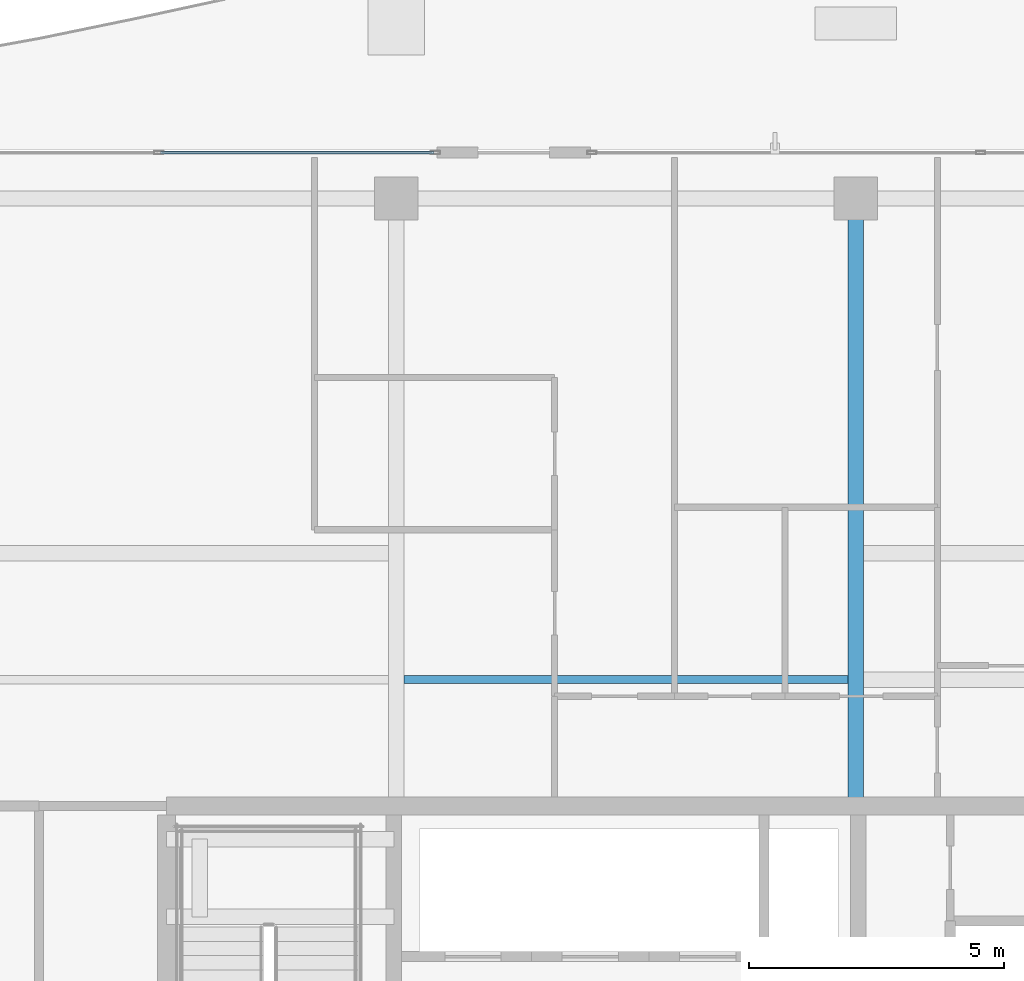
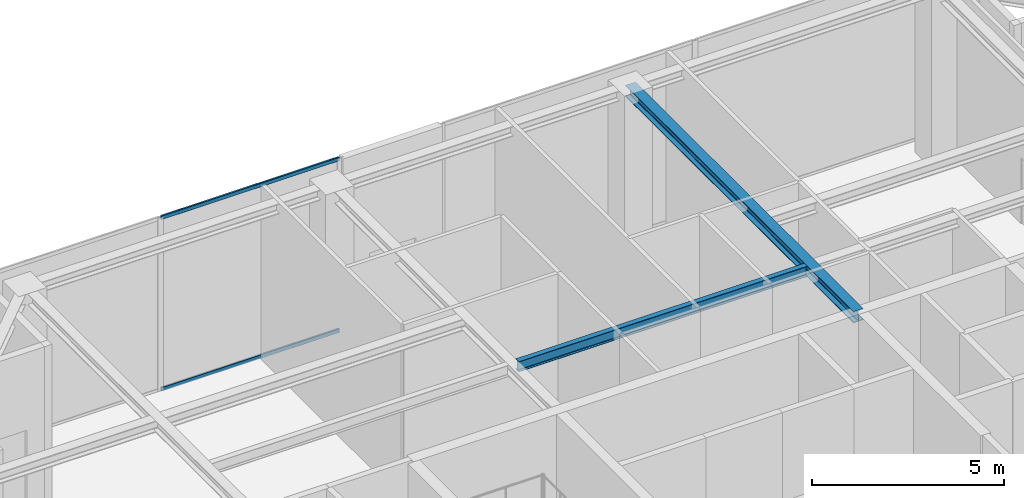
# One storey, part 20 of 38: 2 beams, 2 members, 1 element without a shape of its own.
"""IFC4 building model written with IfcOpenShell, lengths in metres."""

from ifc_helpers import new_model, si_unit, direction, frame, origin, origin_2d, place, context, subcontext, project, spatial, hollow_rectangle, i_section, extrude, source, transform, mapped, material, layer, layer_set, material_profile, profile_set, type_object, element, aggregate, save


model = new_model("IFC4")

# Units and contexts
model_context = context("Model", 3, precision=1e-05, world=origin(), true_north=direction((0.0, 1.0)))
body_context = subcontext(model_context, "Body", "Model", "MODEL_VIEW")
ifc_project = project(units=[si_unit("LENGTHUNIT", "METRE"), si_unit("AREAUNIT", "SQUARE_METRE"), si_unit("VOLUMEUNIT", "CUBIC_METRE"), si_unit("PLANEANGLEUNIT", "RADIAN"), si_unit("MASSUNIT", "GRAM", prefix="KILO")], contexts=[model_context])

# Site, building, storey
site_placement = place(None, origin())
site = spatial("IfcSite", under=ifc_project, at=site_placement, CompositionType="ELEMENT")
building_placement = place(site_placement, origin())
building = spatial("IfcBuilding", under=site, at=building_placement, Name="Serunith Strait Residences", CompositionType="ELEMENT")
storey_placement = place(building_placement, frame((0.0, 0.0, 353.85009765625)))
storey = spatial("IfcBuildingStorey", under=building, at=storey_placement, Name="L87", CompositionType="ELEMENT", Elevation=353.85009765625)

# Beams
ifc_material_1 = material(Name="Steel S355J2", Category="steel")
ifc_material_profile_1 = material_profile(ifc_material_1, i_section(OverallWidth=0.159912109375, OverallDepth=0.330078125, WebThickness=0.007568359375, FlangeThickness=0.011474609375, FilletRadius=0.01806640625, at=origin_2d()), Name="IPE 330")
ifc_profile_set_1 = profile_set([ifc_material_profile_1], Name="Steel S355J2")
beam_type_1 = type_object("IfcBeamType", Name="BM-IPE330", PredefinedType="JOIST", material=ifc_profile_set_1)
shared_shape_1 = source(origin(), body_context, "Body", "SweptSolid", [
    extrude(i_section(OverallWidth=0.159912109375, OverallDepth=0.330078125, WebThickness=0.007568359375, FlangeThickness=0.011474609375, FilletRadius=0.01806640625, at=origin_2d()), origin(), (0.0, 0.0, 1.0), 8.699951171875),
])
beam_1_placement = place(storey_placement, frame((28.050048828125, 36.074951171875, 5.371826171875), z_axis=(1.0, 0.0, 0.0), x_axis=(0.0, 1.0, 0.0)))
element("IfcBeam", 1, at=beam_1_placement, inside=storey, type_object=beam_type_1, Name="L87 Composite Floor Joist 05", PredefinedType="JOIST", context=body_context, shape_type="MappedRepresentation", body=[
    mapped(shared_shape_1, transform((0.0, 0.0, 0.0), scale=1.0)),
])
ifc_material_profile_2 = material_profile(ifc_material_1, i_section(OverallWidth=0.300048828125, OverallDepth=0.360107421875, WebThickness=0.012451171875, FlangeThickness=0.0224609375, FilletRadius=0.027099609375, at=origin_2d()), Name="HEB 360")
ifc_profile_set_2 = profile_set([ifc_material_profile_2], Name="Steel S355J2")
beam_type_2 = type_object("IfcBeamType", Name="BM-HEB360", PredefinedType="BEAM", material=ifc_profile_set_2)
shared_shape_2 = source(origin(), body_context, "Body", "SweptSolid", [
    extrude(i_section(OverallWidth=0.300048828125, OverallDepth=0.360107421875, WebThickness=0.012451171875, FlangeThickness=0.0224609375, FilletRadius=0.027099609375, at=origin_2d()), origin(), (0.0, 0.0, 1.0), 11.89990234375),
])
beam_2_placement = place(storey_placement, frame((36.89990234375, 33.60009765625, 5.35693359375), z_axis=(0.0, 1.0, 0.0), x_axis=(-1.0, 0.0, 0.0)))
element("IfcBeam", 2, at=beam_2_placement, inside=storey, type_object=beam_type_2, Name="L87 Primary Floor Girder TC-N3", PredefinedType="BEAM", context=body_context, shape_type="MappedRepresentation", body=[
    mapped(shared_shape_2, transform((0.0, 0.0, 0.0), scale=1.0)),
])

# Curtain wall, members
ifc_material_2 = material(Name="Brushed Stainless-Silver Aluminium", Category="aluminium")
ifc_layer = layer(ifc_material_2, 0.199951171875, Name="Brushed Stainless-Silver Aluminium")
ifc_layer_set = layer_set([ifc_layer], Name="Brushed Stainless-Silver Aluminium")
curtain_wall_type = type_object("IfcCurtainWallType", Name="CW-SYS5", PredefinedType="NOTDEFINED", material=ifc_layer_set)
curtain_wall_placement = place(storey_placement, origin())
curtain_wall = element("IfcCurtainWall", 3, at=curtain_wall_placement, inside=storey, type_object=curtain_wall_type, Name="L87 N Unitised Fritted Curtain Wall", PredefinedType="NOTDEFINED")
ifc_material_profile_3 = material_profile(ifc_material_2, hollow_rectangle(XDim=0.06005859375, YDim=0.1201171875, WallThickness=0.00341796875, InnerFilletRadius=0.00537109375, OuterFilletRadius=0.0087890625, at=origin_2d()), Name="ALU 120x60x3.5")
ifc_profile_set_3 = profile_set([ifc_material_profile_3], Name="Brushed Stainless-Silver Aluminium")
member_type = type_object("IfcMemberType", Name="CW-SYS5-TRAN", PredefinedType="USERDEFINED", material=ifc_profile_set_3)
shared_shape_3 = source(origin(), body_context, "Body", "SweptSolid", [
    extrude(hollow_rectangle(XDim=0.06005859375, YDim=0.1201171875, WallThickness=0.00341796875, InnerFilletRadius=0.00537109375, OuterFilletRadius=0.0087890625, at=origin_2d()), origin(), (0.0, 0.0, 1.0), 5.3525390625),
])
member_1_placement = place(storey_placement, frame((28.635009765625, 46.39990234375, 0.02978515625), z_axis=(-1.0, 0.0, 0.0), x_axis=(0.0, -1.0, 0.0)))
member_1 = element("IfcMember", 4, at=member_1_placement, type_object=member_type, Name="CW-5 transom 1.1", ObjectType="TRANSOM", PredefinedType="USERDEFINED", context=body_context, shape_type="MappedRepresentation", body=[
    mapped(shared_shape_3, transform((0.0, 0.0, 0.0), scale=1.0)),
])
member_2_placement = place(storey_placement, frame((28.635009765625, 46.39990234375, 5.494873046875), z_axis=(-1.0, 0.0, 0.0), x_axis=(0.0, -1.0, 0.0)))
member_2 = element("IfcMember", 5, at=member_2_placement, type_object=member_type, Name="CW-5 transom 1.2", ObjectType="TRANSOM", PredefinedType="USERDEFINED", context=body_context, shape_type="MappedRepresentation", body=[
    mapped(shared_shape_3, transform((0.0, 0.0, 0.0), scale=1.0)),
])
aggregate(curtain_wall, [member_1, member_2])

save(model, "model.ifc")
